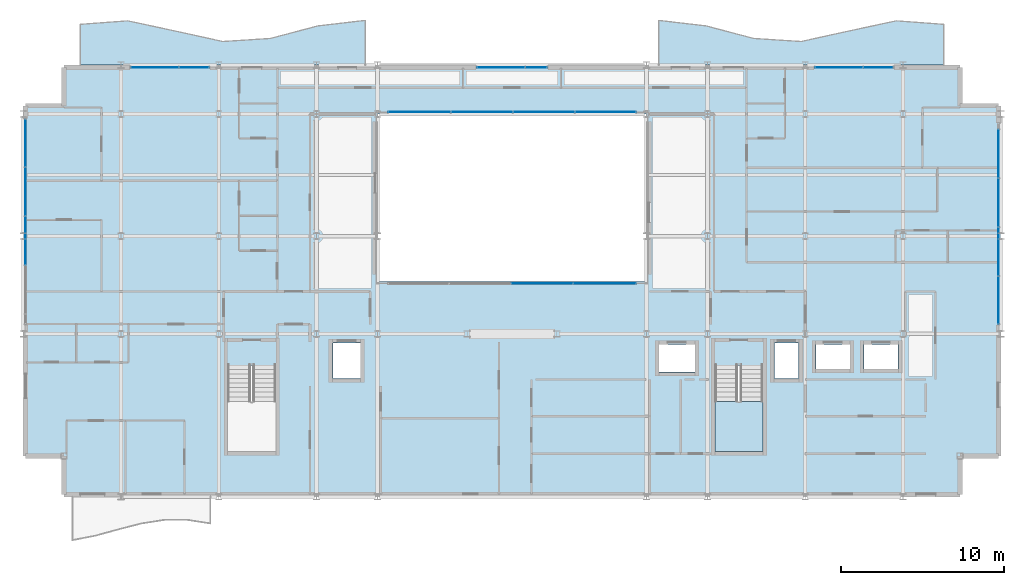
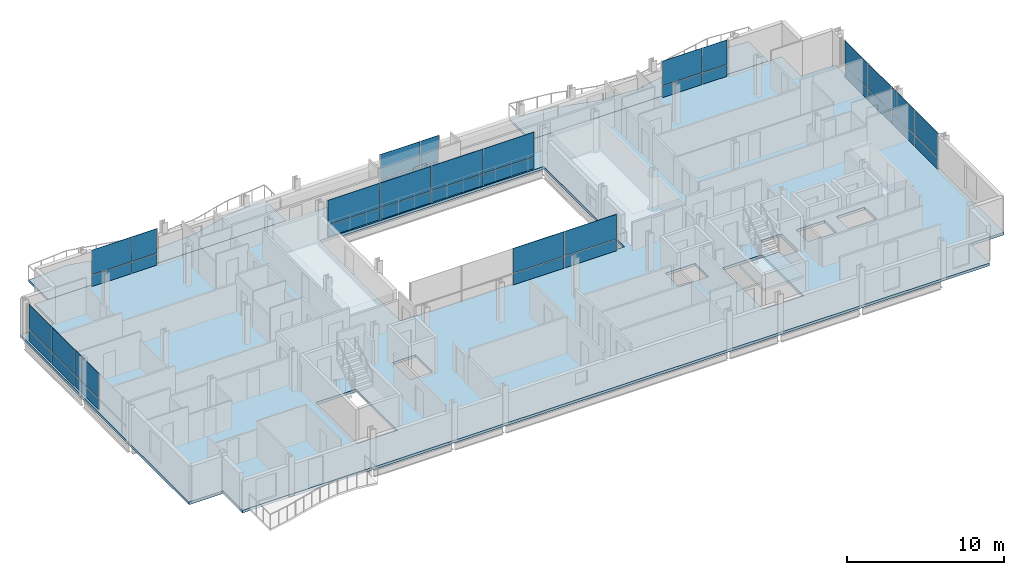
# One storey, part 26 of 36: 38 plates, 4 slabs, 8 elements without a shape of their own.
"""IFC4 building model written with IfcOpenShell, lengths in metres."""

from ifc_helpers import new_model, si_unit, direction, frame, origin, origin_2d, place, context, subcontext, project, spatial, polyline, rectangle, outline, extrude, material, layer, layer_set, type_object, element, aggregate, save


model = new_model("IFC4")

# Units and contexts
model_context = context("Model", 3, precision=1e-05, world=origin(), true_north=direction((0.0, 1.0)))
body_context = subcontext(model_context, "Body", "Model", "MODEL_VIEW")
ifc_project = project(units=[si_unit("LENGTHUNIT", "METRE"), si_unit("AREAUNIT", "SQUARE_METRE"), si_unit("VOLUMEUNIT", "CUBIC_METRE"), si_unit("PLANEANGLEUNIT", "RADIAN"), si_unit("MASSUNIT", "GRAM", prefix="KILO")], contexts=[model_context])

# Site, building, storey
site_placement = place(None, origin())
site = spatial("IfcSite", under=ifc_project, at=site_placement, CompositionType="ELEMENT")
building_placement = place(site_placement, origin())
building = spatial("IfcBuilding", under=site, at=building_placement, Name="Brevholm Reach", CompositionType="ELEMENT")
storey_placement = place(building_placement, frame((0.0, 0.0, 175.89990234375)))
storey = spatial("IfcBuildingStorey", under=building, at=storey_placement, Name="L53", CompositionType="ELEMENT", Elevation=175.89990234375)

# Curtain wall, plates
ifc_material_1 = material(Name="Dark Anodised Aluminium 6063-T6 and Solar-Control Glass", Category="aluminium")
ifc_layer_1 = layer(ifc_material_1, 0.14990234375)
ifc_layer_set_1 = layer_set([ifc_layer_1], Name="Dark Anodised Aluminium 6063-T6 and Solar-Control Glass")
curtain_wall_type_1 = type_object("IfcCurtainWallType", Name="CW-01", PredefinedType="NOTDEFINED", material=ifc_layer_set_1)
curtain_wall_1_placement = place(storey_placement, origin())
curtain_wall_1 = element("IfcCurtainWall", 1, at=curtain_wall_1_placement, inside=storey, type_object=curtain_wall_type_1, Name="L53 Curtain Wall CW-01", PredefinedType="NOTDEFINED")
ifc_material_2 = material(Name="Dark Solar-Control Double-Glazed IGU Glass", Category="glass")
ifc_layer_2 = layer(ifc_material_2, 0.028076171875)
ifc_layer_set_2 = layer_set([ifc_layer_2], Name="Dark Solar-Control Double-Glazed IGU Glass")
plate_type_1 = type_object("IfcPlateType", Name="CWP-GLZ-28", PredefinedType="CURTAIN_PANEL", material=ifc_layer_set_2)
plate_1_placement = place(storey_placement, frame((0.14990234375, 21.703857421875, 0.0), z_axis=(0.0, 0.0, 1.0), x_axis=(0.0, -1.0, 0.0)))
plate_1 = element("IfcPlate", 2, at=plate_1_placement, type_object=plate_type_1, Name="CP-01 Glazing Panel 1.1", PredefinedType="CURTAIN_PANEL", context=body_context, shape_type="SweptSolid", body=[
    extrude(rectangle(XDim=2.902587890625, YDim=0.028076171875, at=origin_2d()), origin(), (0.0, 0.0, 1.0), 0.867431640625),
])
plate_2_placement = place(storey_placement, frame((0.14990234375, 21.703857421875, 0.9326171875), z_axis=(0.0, 0.0, 1.0), x_axis=(0.0, -1.0, 0.0)))
plate_2 = element("IfcPlate", 3, at=plate_2_placement, type_object=plate_type_1, Name="CP-01 Glazing Panel 1.2", PredefinedType="CURTAIN_PANEL", context=body_context, shape_type="SweptSolid", body=[
    extrude(rectangle(XDim=2.902587890625, YDim=0.028076171875, at=origin_2d()), origin(), (0.0, 0.0, 1.0), 1.907470703125),
])
plate_3_placement = place(storey_placement, frame((0.14990234375, 18.719970703125, 0.0), z_axis=(0.0, 0.0, 1.0), x_axis=(0.0, -1.0, 0.0)))
plate_3 = element("IfcPlate", 4, at=plate_3_placement, type_object=plate_type_1, Name="CP-01 Glazing Panel 2.1", PredefinedType="CURTAIN_PANEL", context=body_context, shape_type="SweptSolid", body=[
    extrude(rectangle(XDim=2.93505859375, YDim=0.028076171875, at=origin_2d()), origin(), (0.0, 0.0, 1.0), 0.867431640625),
])
plate_4_placement = place(storey_placement, frame((0.14990234375, 18.719970703125, 0.9326171875), z_axis=(0.0, 0.0, 1.0), x_axis=(0.0, -1.0, 0.0)))
plate_4 = element("IfcPlate", 5, at=plate_4_placement, type_object=plate_type_1, Name="CP-01 Glazing Panel 2.2", PredefinedType="CURTAIN_PANEL", context=body_context, shape_type="SweptSolid", body=[
    extrude(rectangle(XDim=2.93505859375, YDim=0.028076171875, at=origin_2d()), origin(), (0.0, 0.0, 1.0), 1.907470703125),
])
plate_5_placement = place(storey_placement, frame((0.14990234375, 15.719970703125, 0.0), z_axis=(0.0, 0.0, 1.0), x_axis=(0.0, -1.0, 0.0)))
plate_5 = element("IfcPlate", 6, at=plate_5_placement, type_object=plate_type_1, Name="CP-01 Glazing Panel 3.1", PredefinedType="CURTAIN_PANEL", context=body_context, shape_type="SweptSolid", body=[
    extrude(rectangle(XDim=2.93505859375, YDim=0.028076171875, at=origin_2d()), origin(), (0.0, 0.0, 1.0), 0.867431640625),
])
plate_6_placement = place(storey_placement, frame((0.14990234375, 15.719970703125, 0.9326171875), z_axis=(0.0, 0.0, 1.0), x_axis=(0.0, -1.0, 0.0)))
plate_6 = element("IfcPlate", 7, at=plate_6_placement, type_object=plate_type_1, Name="CP-01 Glazing Panel 3.2", PredefinedType="CURTAIN_PANEL", context=body_context, shape_type="SweptSolid", body=[
    extrude(rectangle(XDim=2.93505859375, YDim=0.028076171875, at=origin_2d()), origin(), (0.0, 0.0, 1.0), 1.907470703125),
])
aggregate(curtain_wall_1, [plate_1, plate_2, plate_3, plate_4, plate_5, plate_6])

curtain_wall_2_placement = place(storey_placement, origin())
curtain_wall_2 = element("IfcCurtainWall", 8, at=curtain_wall_2_placement, inside=storey, type_object=curtain_wall_type_1, Name="L53 Curtain Wall CW-01", PredefinedType="NOTDEFINED")
plate_7_placement = place(storey_placement, frame((59.85009765625, 12.066162109375, 0.0), z_axis=(0.0, 0.0, 1.0), x_axis=(0.0, 1.0, 0.0)))
plate_7 = element("IfcPlate", 9, at=plate_7_placement, type_object=plate_type_1, Name="CP-01 Glazing Panel 1.1", PredefinedType="CURTAIN_PANEL", context=body_context, shape_type="SweptSolid", body=[
    extrude(rectangle(XDim=2.902587890625, YDim=0.028076171875, at=origin_2d()), origin(), (0.0, 0.0, 1.0), 0.867431640625),
])
plate_8_placement = place(storey_placement, frame((59.85009765625, 12.066162109375, 0.9326171875), z_axis=(0.0, 0.0, 1.0), x_axis=(0.0, 1.0, 0.0)))
plate_8 = element("IfcPlate", 10, at=plate_8_placement, type_object=plate_type_1, Name="CP-01 Glazing Panel 1.2", PredefinedType="CURTAIN_PANEL", context=body_context, shape_type="SweptSolid", body=[
    extrude(rectangle(XDim=2.902587890625, YDim=0.028076171875, at=origin_2d()), origin(), (0.0, 0.0, 1.0), 1.907470703125),
])
plate_9_placement = place(storey_placement, frame((59.85009765625, 15.050048828125, 0.0), z_axis=(0.0, 0.0, 1.0), x_axis=(0.0, 1.0, 0.0)))
plate_9 = element("IfcPlate", 11, at=plate_9_placement, type_object=plate_type_1, Name="CP-01 Glazing Panel 2.1", PredefinedType="CURTAIN_PANEL", context=body_context, shape_type="SweptSolid", body=[
    extrude(rectangle(XDim=2.93505859375, YDim=0.028076171875, at=origin_2d()), origin(), (0.0, 0.0, 1.0), 0.867431640625),
])
plate_10_placement = place(storey_placement, frame((59.85009765625, 15.050048828125, 0.9326171875), z_axis=(0.0, 0.0, 1.0), x_axis=(0.0, 1.0, 0.0)))
plate_10 = element("IfcPlate", 12, at=plate_10_placement, type_object=plate_type_1, Name="CP-01 Glazing Panel 2.2", PredefinedType="CURTAIN_PANEL", context=body_context, shape_type="SweptSolid", body=[
    extrude(rectangle(XDim=2.93505859375, YDim=0.028076171875, at=origin_2d()), origin(), (0.0, 0.0, 1.0), 1.907470703125),
])
plate_11_placement = place(storey_placement, frame((59.85009765625, 18.050048828125, 0.0), z_axis=(0.0, 0.0, 1.0), x_axis=(0.0, 1.0, 0.0)))
plate_11 = element("IfcPlate", 13, at=plate_11_placement, type_object=plate_type_1, Name="CP-01 Glazing Panel 3.1", PredefinedType="CURTAIN_PANEL", context=body_context, shape_type="SweptSolid", body=[
    extrude(rectangle(XDim=2.93505859375, YDim=0.028076171875, at=origin_2d()), origin(), (0.0, 0.0, 1.0), 0.867431640625),
])
plate_12_placement = place(storey_placement, frame((59.85009765625, 18.050048828125, 0.9326171875), z_axis=(0.0, 0.0, 1.0), x_axis=(0.0, 1.0, 0.0)))
plate_12 = element("IfcPlate", 14, at=plate_12_placement, type_object=plate_type_1, Name="CP-01 Glazing Panel 3.2", PredefinedType="CURTAIN_PANEL", context=body_context, shape_type="SweptSolid", body=[
    extrude(rectangle(XDim=2.93505859375, YDim=0.028076171875, at=origin_2d()), origin(), (0.0, 0.0, 1.0), 1.907470703125),
])
plate_13_placement = place(storey_placement, frame((59.85009765625, 21.050048828125, 0.0), z_axis=(0.0, 0.0, 1.0), x_axis=(0.0, 1.0, 0.0)))
plate_13 = element("IfcPlate", 15, at=plate_13_placement, type_object=plate_type_1, Name="CP-01 Glazing Panel 4.1", PredefinedType="CURTAIN_PANEL", context=body_context, shape_type="SweptSolid", body=[
    extrude(rectangle(XDim=2.93505859375, YDim=0.028076171875, at=origin_2d()), origin(), (0.0, 0.0, 1.0), 0.867431640625),
])
plate_14_placement = place(storey_placement, frame((59.85009765625, 21.050048828125, 0.9326171875), z_axis=(0.0, 0.0, 1.0), x_axis=(0.0, 1.0, 0.0)))
plate_14 = element("IfcPlate", 16, at=plate_14_placement, type_object=plate_type_1, Name="CP-01 Glazing Panel 4.2", PredefinedType="CURTAIN_PANEL", context=body_context, shape_type="SweptSolid", body=[
    extrude(rectangle(XDim=2.93505859375, YDim=0.028076171875, at=origin_2d()), origin(), (0.0, 0.0, 1.0), 1.907470703125),
])
aggregate(curtain_wall_2, [plate_7, plate_8, plate_9, plate_10, plate_11, plate_12, plate_13, plate_14])

curtain_wall_3_placement = place(storey_placement, origin())
curtain_wall_3 = element("IfcCurtainWall", 17, at=curtain_wall_3_placement, inside=storey, type_object=curtain_wall_type_1, Name="L53 Curtain Wall CW-01", PredefinedType="NOTDEFINED")
plate_15_placement = place(storey_placement, frame((8.066162109375, 26.35009765625, 0.0), z_axis=(0.0, 0.0, 1.0), x_axis=(1.0, 0.0, 0.0)))
plate_15 = element("IfcPlate", 18, at=plate_15_placement, type_object=plate_type_1, Name="CP-01 Glazing Panel 1.1", PredefinedType="CURTAIN_PANEL", context=body_context, shape_type="SweptSolid", body=[
    extrude(rectangle(XDim=2.902587890625, YDim=0.028076171875, at=origin_2d()), origin(), (0.0, 0.0, 1.0), 0.867431640625),
])
plate_16_placement = place(storey_placement, frame((8.066162109375, 26.35009765625, 0.9326171875), z_axis=(0.0, 0.0, 1.0), x_axis=(1.0, 0.0, 0.0)))
plate_16 = element("IfcPlate", 19, at=plate_16_placement, type_object=plate_type_1, Name="CP-01 Glazing Panel 1.2", PredefinedType="CURTAIN_PANEL", context=body_context, shape_type="SweptSolid", body=[
    extrude(rectangle(XDim=2.902587890625, YDim=0.028076171875, at=origin_2d()), origin(), (0.0, 0.0, 1.0), 1.907470703125),
])
plate_17_placement = place(storey_placement, frame((10.483642578125, 26.35009765625, 0.0), z_axis=(0.0, 0.0, 1.0), x_axis=(1.0, 0.0, 0.0)))
plate_17 = element("IfcPlate", 20, at=plate_17_placement, type_object=plate_type_1, Name="CP-01 Glazing Panel 2.1", PredefinedType="CURTAIN_PANEL", context=body_context, shape_type="SweptSolid", body=[
    extrude(rectangle(XDim=1.802490234375, YDim=0.028076171875, at=origin_2d()), origin(), (0.0, 0.0, 1.0), 0.867431640625),
])
plate_18_placement = place(storey_placement, frame((10.483642578125, 26.35009765625, 0.9326171875), z_axis=(0.0, 0.0, 1.0), x_axis=(1.0, 0.0, 0.0)))
plate_18 = element("IfcPlate", 21, at=plate_18_placement, type_object=plate_type_1, Name="CP-01 Glazing Panel 2.2", PredefinedType="CURTAIN_PANEL", context=body_context, shape_type="SweptSolid", body=[
    extrude(rectangle(XDim=1.802490234375, YDim=0.028076171875, at=origin_2d()), origin(), (0.0, 0.0, 1.0), 1.907470703125),
])
aggregate(curtain_wall_3, [plate_15, plate_16, plate_17, plate_18])

curtain_wall_4_placement = place(storey_placement, origin())
curtain_wall_4 = element("IfcCurtainWall", 22, at=curtain_wall_4_placement, inside=storey, type_object=curtain_wall_type_1, Name="L53 Curtain Wall CW-01", PredefinedType="NOTDEFINED")
plate_19_placement = place(storey_placement, frame((29.316162109375, 26.35009765625, 0.0), z_axis=(0.0, 0.0, 1.0), x_axis=(1.0, 0.0, 0.0)))
plate_19 = element("IfcPlate", 23, at=plate_19_placement, type_object=plate_type_1, Name="CP-01 Glazing Panel 1.1", PredefinedType="CURTAIN_PANEL", context=body_context, shape_type="SweptSolid", body=[
    extrude(rectangle(XDim=2.902587890625, YDim=0.028076171875, at=origin_2d()), origin(), (0.0, 0.0, 1.0), 0.867431640625),
])
plate_20_placement = place(storey_placement, frame((29.316162109375, 26.35009765625, 0.9326171875), z_axis=(0.0, 0.0, 1.0), x_axis=(1.0, 0.0, 0.0)))
plate_20 = element("IfcPlate", 24, at=plate_20_placement, type_object=plate_type_1, Name="CP-01 Glazing Panel 1.2", PredefinedType="CURTAIN_PANEL", context=body_context, shape_type="SweptSolid", body=[
    extrude(rectangle(XDim=2.902587890625, YDim=0.028076171875, at=origin_2d()), origin(), (0.0, 0.0, 1.0), 1.907470703125),
])
plate_21_placement = place(storey_placement, frame((31.483642578125, 26.35009765625, 0.0), z_axis=(0.0, 0.0, 1.0), x_axis=(1.0, 0.0, 0.0)))
plate_21 = element("IfcPlate", 25, at=plate_21_placement, type_object=plate_type_1, Name="CP-01 Glazing Panel 2.1", PredefinedType="CURTAIN_PANEL", context=body_context, shape_type="SweptSolid", body=[
    extrude(rectangle(XDim=1.302490234375, YDim=0.028076171875, at=origin_2d()), origin(), (0.0, 0.0, 1.0), 0.867431640625),
])
plate_22_placement = place(storey_placement, frame((31.483642578125, 26.35009765625, 0.9326171875), z_axis=(0.0, 0.0, 1.0), x_axis=(1.0, 0.0, 0.0)))
plate_22 = element("IfcPlate", 26, at=plate_22_placement, type_object=plate_type_1, Name="CP-01 Glazing Panel 2.2", PredefinedType="CURTAIN_PANEL", context=body_context, shape_type="SweptSolid", body=[
    extrude(rectangle(XDim=1.302490234375, YDim=0.028076171875, at=origin_2d()), origin(), (0.0, 0.0, 1.0), 1.907470703125),
])
aggregate(curtain_wall_4, [plate_19, plate_20, plate_21, plate_22])

curtain_wall_5_placement = place(storey_placement, origin())
curtain_wall_5 = element("IfcCurtainWall", 27, at=curtain_wall_5_placement, inside=storey, type_object=curtain_wall_type_1, Name="L53 Curtain Wall CW-01", PredefinedType="NOTDEFINED")
plate_23_placement = place(storey_placement, frame((50.066162109375, 26.35009765625, 0.0), z_axis=(0.0, 0.0, 1.0), x_axis=(1.0, 0.0, 0.0)))
plate_23 = element("IfcPlate", 28, at=plate_23_placement, type_object=plate_type_1, Name="CP-01 Glazing Panel 1.1", PredefinedType="CURTAIN_PANEL", context=body_context, shape_type="SweptSolid", body=[
    extrude(rectangle(XDim=2.902587890625, YDim=0.028076171875, at=origin_2d()), origin(), (0.0, 0.0, 1.0), 0.867431640625),
])
plate_24_placement = place(storey_placement, frame((50.066162109375, 26.35009765625, 0.9326171875), z_axis=(0.0, 0.0, 1.0), x_axis=(1.0, 0.0, 0.0)))
plate_24 = element("IfcPlate", 29, at=plate_24_placement, type_object=plate_type_1, Name="CP-01 Glazing Panel 1.2", PredefinedType="CURTAIN_PANEL", context=body_context, shape_type="SweptSolid", body=[
    extrude(rectangle(XDim=2.902587890625, YDim=0.028076171875, at=origin_2d()), origin(), (0.0, 0.0, 1.0), 1.907470703125),
])
plate_25_placement = place(storey_placement, frame((52.483642578125, 26.35009765625, 0.0), z_axis=(0.0, 0.0, 1.0), x_axis=(1.0, 0.0, 0.0)))
plate_25 = element("IfcPlate", 30, at=plate_25_placement, type_object=plate_type_1, Name="CP-01 Glazing Panel 2.1", PredefinedType="CURTAIN_PANEL", context=body_context, shape_type="SweptSolid", body=[
    extrude(rectangle(XDim=1.802490234375, YDim=0.028076171875, at=origin_2d()), origin(), (0.0, 0.0, 1.0), 0.867431640625),
])
plate_26_placement = place(storey_placement, frame((52.483642578125, 26.35009765625, 0.9326171875), z_axis=(0.0, 0.0, 1.0), x_axis=(1.0, 0.0, 0.0)))
plate_26 = element("IfcPlate", 31, at=plate_26_placement, type_object=plate_type_1, Name="CP-01 Glazing Panel 2.2", PredefinedType="CURTAIN_PANEL", context=body_context, shape_type="SweptSolid", body=[
    extrude(rectangle(XDim=1.802490234375, YDim=0.028076171875, at=origin_2d()), origin(), (0.0, 0.0, 1.0), 1.907470703125),
])
aggregate(curtain_wall_5, [plate_23, plate_24, plate_25, plate_26])

ifc_material_3 = material(Name="Dark Anodised Aluminium 6063-T6 and Solar-Control Glass", Category="aluminium")
ifc_layer_3 = layer(ifc_material_3, 0.139892578125)
ifc_layer_set_3 = layer_set([ifc_layer_3], Name="Dark Anodised Aluminium 6063-T6 and Solar-Control Glass")
curtain_wall_type_2 = type_object("IfcCurtainWallType", Name="CW-02", PredefinedType="NOTDEFINED", material=ifc_layer_set_3)
curtain_wall_6_placement = place(storey_placement, origin())
curtain_wall_6 = element("IfcCurtainWall", 32, at=curtain_wall_6_placement, inside=storey, type_object=curtain_wall_type_2, Name="L53 Curtain Wall CW-02", PredefinedType="NOTDEFINED")
ifc_material_4 = material(Name="Low-Iron Laminated Acoustic Glass", Category="glass")
ifc_layer_4 = layer(ifc_material_4, 0.035888671875)
ifc_layer_set_4 = layer_set([ifc_layer_4], Name="Low-Iron Laminated Acoustic Glass")
plate_type_2 = type_object("IfcPlateType", Name="CWP-GLZ-36", PredefinedType="CURTAIN_PANEL", material=ifc_layer_set_4)
plate_27_placement = place(storey_placement, frame((31.85009765625, 13.080078125, 0.0), z_axis=(0.0, 0.0, 1.0), x_axis=(1.0, 0.0, 0.0)))
plate_27 = element("IfcPlate", 33, at=plate_27_placement, type_object=plate_type_2, Name="CP-02 Glazing Panel 3.1", PredefinedType="CURTAIN_PANEL", context=body_context, shape_type="SweptSolid", body=[
    extrude(rectangle(XDim=3.739990234375, YDim=0.035888671875, at=origin_2d()), origin(), (0.0, 0.0, 1.0), 0.8701171875),
])
plate_28_placement = place(storey_placement, frame((31.85009765625, 13.080078125, 0.93017578125), z_axis=(0.0, 0.0, 1.0), x_axis=(1.0, 0.0, 0.0)))
plate_28 = element("IfcPlate", 34, at=plate_28_placement, type_object=plate_type_2, Name="CP-02 Glazing Panel 3.2", PredefinedType="CURTAIN_PANEL", context=body_context, shape_type="SweptSolid", body=[
    extrude(rectangle(XDim=3.739990234375, YDim=0.035888671875, at=origin_2d()), origin(), (0.0, 0.0, 1.0), 1.909912109375),
])
plate_29_placement = place(storey_placement, frame((35.68505859375, 13.080078125, 0.0), z_axis=(0.0, 0.0, 1.0), x_axis=(1.0, 0.0, 0.0)))
plate_29 = element("IfcPlate", 35, at=plate_29_placement, type_object=plate_type_2, Name="CP-02 Glazing Panel 4.1", PredefinedType="CURTAIN_PANEL", context=body_context, shape_type="SweptSolid", body=[
    extrude(rectangle(XDim=3.81005859375, YDim=0.035888671875, at=origin_2d()), origin(), (0.0, 0.0, 1.0), 0.8701171875),
])
plate_30_placement = place(storey_placement, frame((35.68505859375, 13.080078125, 0.93017578125), z_axis=(0.0, 0.0, 1.0), x_axis=(1.0, 0.0, 0.0)))
plate_30 = element("IfcPlate", 36, at=plate_30_placement, type_object=plate_type_2, Name="CP-02 Glazing Panel 4.2", PredefinedType="CURTAIN_PANEL", context=body_context, shape_type="SweptSolid", body=[
    extrude(rectangle(XDim=3.81005859375, YDim=0.035888671875, at=origin_2d()), origin(), (0.0, 0.0, 1.0), 1.909912109375),
])
aggregate(curtain_wall_6, [plate_27, plate_28, plate_29, plate_30])

curtain_wall_7_placement = place(storey_placement, origin())
curtain_wall_7 = element("IfcCurtainWall", 37, at=curtain_wall_7_placement, inside=storey, type_object=curtain_wall_type_2, Name="L53 Curtain Wall CW-02", PredefinedType="NOTDEFINED")
plate_31_placement = place(storey_placement, frame((35.735107421875, 23.6201171875, 0.0), z_axis=(0.0, 0.0, 1.0), x_axis=(-1.0, 0.0, 0.0)))
plate_31 = element("IfcPlate", 38, at=plate_31_placement, type_object=plate_type_2, Name="CP-02 Glazing Panel 1.1", PredefinedType="CURTAIN_PANEL", context=body_context, shape_type="SweptSolid", body=[
    extrude(rectangle(XDim=3.7099609375, YDim=0.035888671875, at=origin_2d()), origin(), (0.0, 0.0, 1.0), 0.8701171875),
])
plate_32_placement = place(storey_placement, frame((35.735107421875, 23.6201171875, 0.93017578125), z_axis=(0.0, 0.0, 1.0), x_axis=(-1.0, 0.0, 0.0)))
plate_32 = element("IfcPlate", 39, at=plate_32_placement, type_object=plate_type_2, Name="CP-02 Glazing Panel 1.2", PredefinedType="CURTAIN_PANEL", context=body_context, shape_type="SweptSolid", body=[
    extrude(rectangle(XDim=3.7099609375, YDim=0.035888671875, at=origin_2d()), origin(), (0.0, 0.0, 1.0), 1.909912109375),
])
plate_33_placement = place(storey_placement, frame((31.949951171875, 23.6201171875, 0.0), z_axis=(0.0, 0.0, 1.0), x_axis=(-1.0, 0.0, 0.0)))
plate_33 = element("IfcPlate", 40, at=plate_33_placement, type_object=plate_type_2, Name="CP-02 Glazing Panel 2.1", PredefinedType="CURTAIN_PANEL", context=body_context, shape_type="SweptSolid", body=[
    extrude(rectangle(XDim=3.739990234375, YDim=0.035888671875, at=origin_2d()), origin(), (0.0, 0.0, 1.0), 0.8701171875),
])
plate_34_placement = place(storey_placement, frame((31.949951171875, 23.6201171875, 0.93017578125), z_axis=(0.0, 0.0, 1.0), x_axis=(-1.0, 0.0, 0.0)))
plate_34 = element("IfcPlate", 41, at=plate_34_placement, type_object=plate_type_2, Name="CP-02 Glazing Panel 2.2", PredefinedType="CURTAIN_PANEL", context=body_context, shape_type="SweptSolid", body=[
    extrude(rectangle(XDim=3.739990234375, YDim=0.035888671875, at=origin_2d()), origin(), (0.0, 0.0, 1.0), 1.909912109375),
])
plate_35_placement = place(storey_placement, frame((28.14990234375, 23.6201171875, 0.0), z_axis=(0.0, 0.0, 1.0), x_axis=(-1.0, 0.0, 0.0)))
plate_35 = element("IfcPlate", 42, at=plate_35_placement, type_object=plate_type_2, Name="CP-02 Glazing Panel 3.1", PredefinedType="CURTAIN_PANEL", context=body_context, shape_type="SweptSolid", body=[
    extrude(rectangle(XDim=3.739990234375, YDim=0.035888671875, at=origin_2d()), origin(), (0.0, 0.0, 1.0), 0.8701171875),
])
plate_36_placement = place(storey_placement, frame((28.14990234375, 23.6201171875, 0.93017578125), z_axis=(0.0, 0.0, 1.0), x_axis=(-1.0, 0.0, 0.0)))
plate_36 = element("IfcPlate", 43, at=plate_36_placement, type_object=plate_type_2, Name="CP-02 Glazing Panel 3.2", PredefinedType="CURTAIN_PANEL", context=body_context, shape_type="SweptSolid", body=[
    extrude(rectangle(XDim=3.739990234375, YDim=0.035888671875, at=origin_2d()), origin(), (0.0, 0.0, 1.0), 1.909912109375),
])
plate_37_placement = place(storey_placement, frame((24.31494140625, 23.6201171875, 0.0), z_axis=(0.0, 0.0, 1.0), x_axis=(-1.0, 0.0, 0.0)))
plate_37 = element("IfcPlate", 44, at=plate_37_placement, type_object=plate_type_2, Name="CP-02 Glazing Panel 4.1", PredefinedType="CURTAIN_PANEL", context=body_context, shape_type="SweptSolid", body=[
    extrude(rectangle(XDim=3.81005859375, YDim=0.035888671875, at=origin_2d()), origin(), (0.0, 0.0, 1.0), 0.8701171875),
])
plate_38_placement = place(storey_placement, frame((24.31494140625, 23.6201171875, 0.93017578125), z_axis=(0.0, 0.0, 1.0), x_axis=(-1.0, 0.0, 0.0)))
plate_38 = element("IfcPlate", 45, at=plate_38_placement, type_object=plate_type_2, Name="CP-02 Glazing Panel 4.2", PredefinedType="CURTAIN_PANEL", context=body_context, shape_type="SweptSolid", body=[
    extrude(rectangle(XDim=3.81005859375, YDim=0.035888671875, at=origin_2d()), origin(), (0.0, 0.0, 1.0), 1.909912109375),
])
aggregate(curtain_wall_7, [plate_31, plate_32, plate_33, plate_34, plate_35, plate_36, plate_37, plate_38])

# Slabs
ifc_material_5 = material(Name="Precast Concrete C45/55", Category="concrete")
ifc_layer_5 = layer(ifc_material_5, 0.14990234375)
ifc_layer_set_5 = layer_set([ifc_layer_5], Name="Precast Concrete C45/55")
slab_type_1 = type_object("IfcSlabType", Name="SLB-BAL-150", PredefinedType="FLOOR", material=ifc_layer_set_5)
slab_1_placement = place(storey_placement, frame((0.0, 0.0, -0.14990234375)))
element("IfcSlab", 46, at=slab_1_placement, inside=storey, type_object=slab_type_1, Name="L53 Rippling External Balcony NE", PredefinedType="FLOOR", context=body_context, shape_type="SweptSolid", body=[
    extrude(outline(polyline([(39.0, 26.5), (56.5, 26.5), (56.5, 28.999755859375), (53.583251953125, 29.213134765625), (50.666748046875, 28.5869140625), (47.75, 27.94482421875), (44.833251953125, 28.132080078125), (41.916748046875, 28.902099609375), (39.0, 29.24169921875), (39.0, 26.5)])), origin(), (0.0, 0.0, 1.0), 0.14990234375),
])
slab_2_placement = place(storey_placement, frame((0.0, 0.0, -0.14990234375)))
element("IfcSlab", 47, at=slab_2_placement, inside=storey, type_object=slab_type_1, Name="L53 Rippling External Balcony NW", PredefinedType="FLOOR", context=body_context, shape_type="SweptSolid", body=[
    extrude(outline(polyline([(3.5, 26.5), (21.0, 26.5), (21.0, 29.24169921875), (18.083251953125, 28.902099609375), (15.166748046875, 28.132080078125), (12.25, 27.94482421875), (9.333251953125, 28.5869140625), (6.416748046875, 29.213134765625), (3.5, 28.999755859375), (3.5, 26.5)])), origin(), (0.0, 0.0, 1.0), 0.14990234375),
])
ifc_material_6 = material(Name="Concrete C40/50", Category="concrete")
ifc_layer_6 = layer(ifc_material_6, 0.2099609375)
ifc_layer_set_6 = layer_set([ifc_layer_6], Name="Concrete C40/50")
slab_type_2 = type_object("IfcSlabType", Name="SLB-FL-210", PredefinedType="FLOOR", material=ifc_layer_set_6)
slab_3_placement = place(storey_placement, frame((0.0, 0.0, -0.2099609375)))
element("IfcSlab", 48, at=slab_3_placement, inside=storey, type_object=slab_type_2, Name="L53 Suspended Floor Slab (main)", PredefinedType="FLOOR", context=body_context, shape_type="SweptSolid", body=[
    extrude(outline(polyline([(2.5, 0.0), (57.5, 0.0), (57.5, 2.5), (60.0, 2.5), (60.0, 24.0), (57.5, 24.0), (57.5, 26.5), (2.5, 26.5), (2.5, 24.0), (0.0, 24.0), (0.0, 2.5), (2.5, 2.5), (2.5, 0.0)]), holes=[polyline([(21.75, 13.199951171875), (38.25, 13.199951171875), (38.25, 23.5), (21.75, 23.5), (21.75, 13.199951171875)]), polyline([(12.550048828125, 2.780029296875), (15.5, 2.780029296875), (15.5, 8.044921875), (12.550048828125, 8.044921875), (12.550048828125, 2.780029296875)]), polyline([(42.449951171875, 2.780029296875), (45.39990234375, 2.780029296875), (45.39990234375, 8.044921875), (42.449951171875, 8.044921875), (42.449951171875, 2.780029296875)]), polyline([(19.0, 7.25), (20.699951171875, 7.25), (20.699951171875, 9.449951171875), (19.0, 9.449951171875), (19.0, 7.25)]), polyline([(46.10009765625, 7.25), (47.60009765625, 7.25), (47.60009765625, 9.449951171875), (46.10009765625, 9.449951171875), (46.10009765625, 7.25)]), polyline([(39.02001953125, 7.64990234375), (41.219970703125, 7.64990234375), (41.219970703125, 9.35009765625), (39.02001953125, 9.35009765625), (39.02001953125, 7.64990234375)]), polyline([(48.64990234375, 7.85009765625), (50.75, 7.85009765625), (50.75, 9.35009765625), (48.64990234375, 9.35009765625), (48.64990234375, 7.85009765625)]), polyline([(51.60009765625, 7.85009765625), (53.699951171875, 7.85009765625), (53.699951171875, 9.35009765625), (51.60009765625, 9.35009765625), (51.60009765625, 7.85009765625)])]), origin(), (0.0, 0.0, 1.0), 0.2099609375),
])

# Stair, slab
ifc_material_7 = material(Name="Precast Concrete C40/50", Category="concrete")
stair_type = type_object("IfcStairType", Name="STR-ESC-1400", PredefinedType="DOUBLE_RETURN_STAIR", material=ifc_material_7)
stair_placement = place(storey_placement, origin())
stair = element("IfcStair", 49, at=stair_placement, inside=storey, type_object=stair_type, Name="L53 ST-2", PredefinedType="DOUBLE_RETURN_STAIR")
ifc_material_8 = material(Name="Concrete C40/50", Category="concrete")
ifc_layer_7 = layer(ifc_material_8, 0.199951171875)
ifc_layer_set_7 = layer_set([ifc_layer_7], Name="Concrete C40/50")
slab_type_3 = type_object("IfcSlabType", Name="SLB-LND-200", PredefinedType="LANDING", material=ifc_layer_set_7)
slab_4_placement = place(storey_placement, frame((0.0, 0.0, 1.35009765625)))
slab_4 = element("IfcSlab", 50, at=slab_4_placement, type_object=slab_type_3, Name="ST-2 landing 1", PredefinedType="LANDING", context=body_context, shape_type="SweptSolid", body=[
    extrude(outline(polyline([(42.449951171875, 5.860107421875), (42.449951171875, 2.780029296875), (45.39990234375, 2.780029296875), (45.39990234375, 5.860107421875), (42.449951171875, 5.860107421875)])), origin(), (0.0, 0.0, 1.0), 0.199951171875),
])
aggregate(stair, [slab_4])

save(model, "model.ifc")
